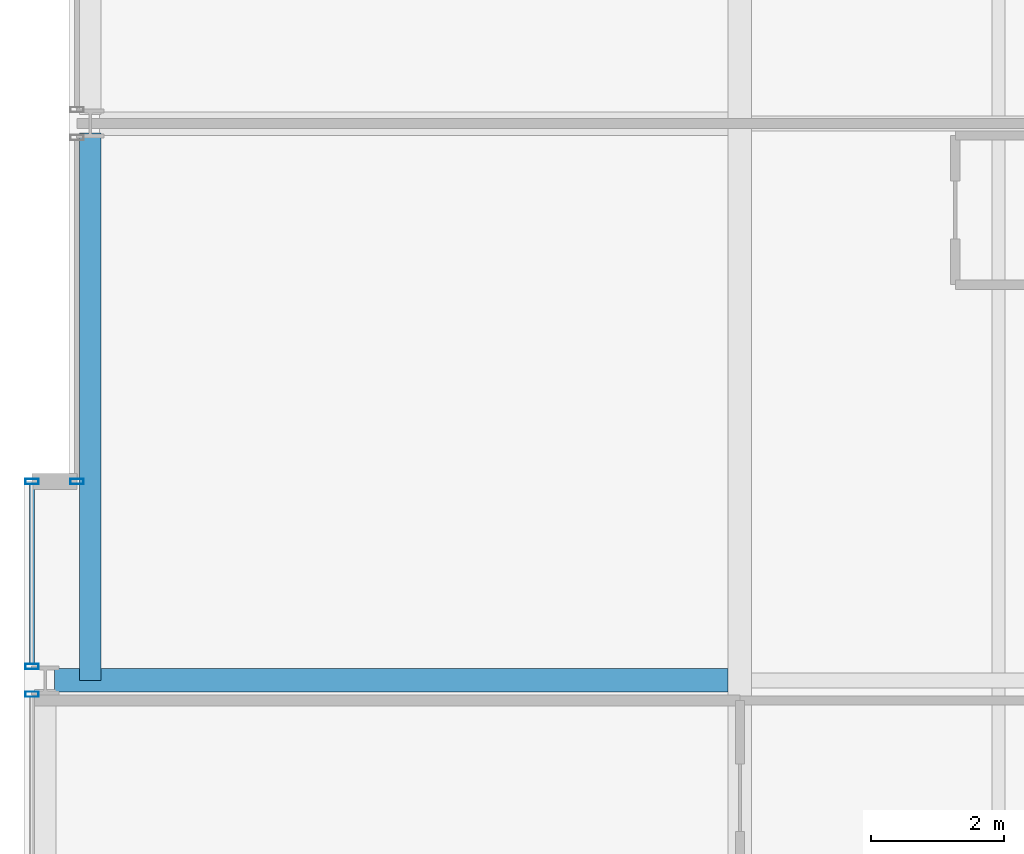
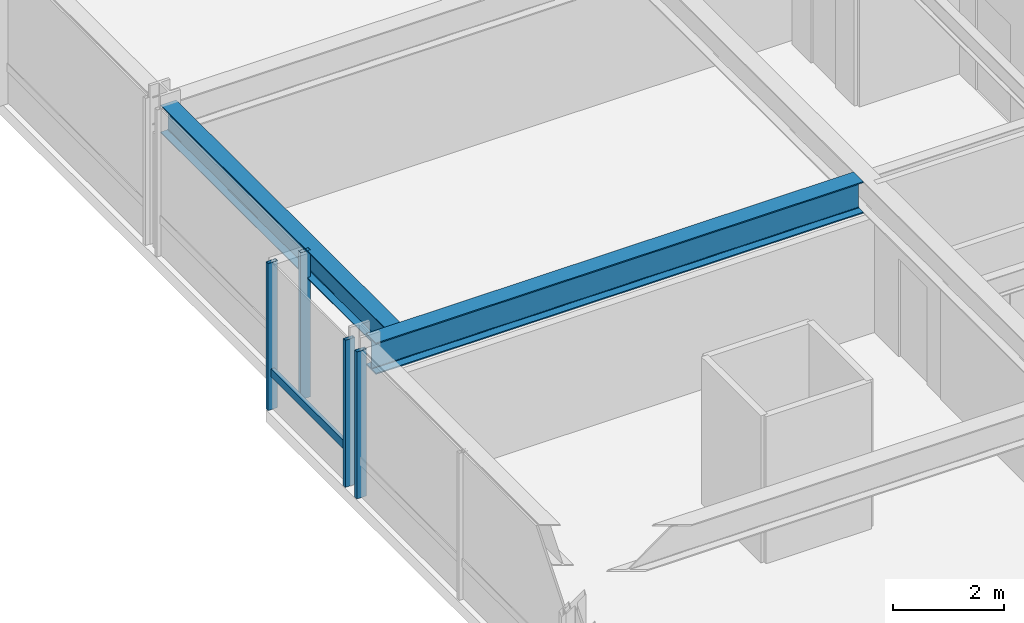
# One storey, part 7 of 34: 5 members, 2 beams, 3 elements without a shape of their own.
"""IFC4 building model written with IfcOpenShell, lengths in metres."""

from ifc_helpers import new_model, si_unit, direction, frame, origin, origin_2d, place, context, subcontext, project, spatial, hollow_rectangle, i_section, extrude, material, layer, layer_set, material_profile, profile_set, type_object, element, aggregate, save


model = new_model("IFC4")

# Units and contexts
model_context = context("Model", 3, precision=1e-05, world=origin(), true_north=direction((0.0, 1.0)))
body_context = subcontext(model_context, "Body", "Model", "MODEL_VIEW")
ifc_project = project(units=[si_unit("LENGTHUNIT", "METRE"), si_unit("AREAUNIT", "SQUARE_METRE"), si_unit("VOLUMEUNIT", "CUBIC_METRE"), si_unit("PLANEANGLEUNIT", "RADIAN"), si_unit("MASSUNIT", "GRAM", prefix="KILO")], contexts=[model_context])

# Site, building, storey
site_placement = place(None, origin())
site = spatial("IfcSite", under=ifc_project, at=site_placement, CompositionType="ELEMENT")
building_placement = place(site_placement, origin())
building = spatial("IfcBuilding", under=site, at=building_placement, Name="Drelvath Grand Hotel", CompositionType="ELEMENT")
storey_placement = place(building_placement, frame((0.0, 0.0, 133.800048828125)))
storey = spatial("IfcBuildingStorey", under=building, at=storey_placement, Name="L34", CompositionType="ELEMENT", Elevation=133.800048828125)

# Curtain wall, member
ifc_material_1 = material(Name="Champagne Bronze Anodised Aluminium Frame", Category="aluminium")
ifc_layer = layer(ifc_material_1, 0.199951171875)
ifc_layer_set = layer_set([ifc_layer], Name="Champagne Bronze Anodised Aluminium Frame")
curtain_wall_type = type_object("IfcCurtainWallType", Name="Stick Curtain Wall CW-03 Champagne Bronze Mid-Rise", PredefinedType="NOTDEFINED", material=ifc_layer_set)
curtain_wall_1_placement = place(storey_placement, origin())
curtain_wall_1 = element("IfcCurtainWall", 1, at=curtain_wall_1_placement, inside=storey, type_object=curtain_wall_type, Name="L34 CW-03 Curtain Wall CW03-L34-WS3", PredefinedType="NOTDEFINED")
ifc_material_profile_1 = material_profile(ifc_material_1, hollow_rectangle(XDim=0.074951171875, YDim=0.179931640625, WallThickness=0.0048828125, at=origin_2d()), Name="HSS180X75X5")
ifc_profile_set_1 = profile_set([ifc_material_profile_1], Name="Champagne Bronze Anodised Aluminium Frame")
member_type_1 = type_object("IfcMemberType", Name="Curtain Wall Horizontal Transom CW-03 HSS180X75X5", PredefinedType="USERDEFINED", material=ifc_profile_set_1)
member_1_placement = place(storey_placement, frame((-26.8798828125, 18.849365234375, 0.81005859375), z_axis=(0.0, 1.0, 0.0), x_axis=(-1.0, 0.0, 0.0)))
member_1 = element("IfcMember", 2, at=member_1_placement, type_object=member_type_1, Name="CW03-L34-WS3 Sill Transom", ObjectType="TRANSOM", PredefinedType="USERDEFINED", context=body_context, shape_type="SweptSolid", body=[
    extrude(hollow_rectangle(XDim=0.074951171875, YDim=0.179931640625, WallThickness=0.0048828125, at=origin_2d()), origin(), (0.0, 0.0, 1.0), 2.710693359375),
])

curtain_wall_2_placement = place(storey_placement, origin())
curtain_wall_2 = element("IfcCurtainWall", 3, at=curtain_wall_2_placement, inside=storey, type_object=curtain_wall_type, Name="L34 CW-03 Curtain Wall CW03-L34-WS2", PredefinedType="NOTDEFINED")
ifc_material_profile_2 = material_profile(ifc_material_1, hollow_rectangle(XDim=0.080078125, YDim=0.199951171875, WallThickness=0.0048828125, at=origin_2d()), Name="HSS200X80X5")
ifc_profile_set_2 = profile_set([ifc_material_profile_2], Name="Champagne Bronze Anodised Aluminium Frame")
member_type_2 = type_object("IfcMemberType", Name="Curtain Wall Vertical Mullion CW-03 HSS200X80X5", PredefinedType="MULLION", material=ifc_profile_set_2)
member_2_placement = place(storey_placement, frame((-26.8798828125, 18.390625, 0.0), z_axis=(0.0, 0.0, 1.0), x_axis=(0.0, 1.0, 0.0)))
member_2 = element("IfcMember", 4, at=member_2_placement, type_object=member_type_2, Name="CW03-L34-WS2 Mullion 3", PredefinedType="MULLION", context=body_context, shape_type="SweptSolid", body=[
    extrude(hollow_rectangle(XDim=0.080078125, YDim=0.199951171875, WallThickness=0.0048828125, at=origin_2d()), origin(), (0.0, 0.0, 1.0), 3.239990234375),
])
aggregate(curtain_wall_2, [member_2])

# Member
member_3_placement = place(storey_placement, frame((-26.8798828125, 18.809326171875, 0.0), z_axis=(0.0, 0.0, 1.0), x_axis=(0.0, 1.0, 0.0)))
member_3 = element("IfcMember", 5, at=member_3_placement, type_object=member_type_2, Name="CW03-L34-WS3 Mullion 1", PredefinedType="MULLION", context=body_context, shape_type="SweptSolid", body=[
    extrude(hollow_rectangle(XDim=0.080078125, YDim=0.199951171875, WallThickness=0.0048828125, at=origin_2d()), origin(), (0.0, 0.0, 1.0), 3.239990234375),
])

member_4_placement = place(storey_placement, frame((-26.8798828125, 21.60009765625, 0.0), z_axis=(0.0, 0.0, 1.0), x_axis=(0.0, 1.0, 0.0)))
member_4 = element("IfcMember", 6, at=member_4_placement, type_object=member_type_2, Name="CW03-L34-WS3 Mullion 2", PredefinedType="MULLION", context=body_context, shape_type="SweptSolid", body=[
    extrude(hollow_rectangle(XDim=0.080078125, YDim=0.199951171875, WallThickness=0.0048828125, at=origin_2d()), origin(), (0.0, 0.0, 1.0), 3.239990234375),
])

aggregate(curtain_wall_1, [member_3, member_4, member_1])

# Curtain wall, member
curtain_wall_3_placement = place(storey_placement, origin())
curtain_wall_3 = element("IfcCurtainWall", 7, at=curtain_wall_3_placement, inside=storey, type_object=curtain_wall_type, Name="L34 CW-03 Curtain Wall CW03-L34-WM1", PredefinedType="NOTDEFINED")
member_5_placement = place(storey_placement, frame((-26.199951171875, 21.60009765625, 0.0), z_axis=(0.0, 0.0, 1.0), x_axis=(0.0, 1.0, 0.0)))
member_5 = element("IfcMember", 8, at=member_5_placement, type_object=member_type_2, Name="CW03-L34-WM1 Mullion 1", PredefinedType="MULLION", context=body_context, shape_type="SweptSolid", body=[
    extrude(hollow_rectangle(XDim=0.080078125, YDim=0.199951171875, WallThickness=0.0048828125, at=origin_2d()), origin(), (0.0, 0.0, 1.0), 3.239990234375),
])
aggregate(curtain_wall_3, [member_5])

# Beams
ifc_material_2 = material(Name="Steel ASTM A992 Gr 50", Category="steel")
ifc_material_profile_3 = material_profile(ifc_material_2, i_section(OverallWidth=0.323974609375, OverallDepth=0.611083984375, WebThickness=0.0126953125, FlangeThickness=0.01904296875, FilletRadius=0.02197265625, at=origin_2d()), Name="W24X104")
ifc_profile_set_3 = profile_set([ifc_material_profile_3], Name="Steel ASTM A992 Gr 50")
beam_type_1 = type_object("IfcBeamType", Name="Perimeter Spandrel Beam W24X104", PredefinedType="SPANDREL", material=ifc_profile_set_3)
beam_1_placement = place(storey_placement, frame((-26.0, 18.60009765625, 2.934326171875), z_axis=(0.0, 1.0, 0.0), x_axis=(-1.0, 0.0, 0.0)))
element("IfcBeam", 9, at=beam_1_placement, inside=storey, type_object=beam_type_1, Name="L34 Spandrel West Mid S", PredefinedType="SPANDREL", context=body_context, shape_type="SweptSolid", body=[
    extrude(i_section(OverallWidth=0.323974609375, OverallDepth=0.611083984375, WebThickness=0.0126953125, FlangeThickness=0.01904296875, FilletRadius=0.02197265625, at=origin_2d()), origin(), (0.0, 0.0, 1.0), 8.260009765625),
])
ifc_material_profile_4 = material_profile(ifc_material_2, i_section(OverallWidth=0.354736328125, OverallDepth=0.695556640625, WebThickness=0.015380859375, FlangeThickness=0.025146484375, FilletRadius=0.02392578125, at=origin_2d()), Name="W27X146")
ifc_profile_set_4 = profile_set([ifc_material_profile_4], Name="Steel ASTM A992 Gr 50")
beam_type_2 = type_object("IfcBeamType", Name="Primary Floor Girder W27X146", PredefinedType="BEAM", material=ifc_profile_set_4)
beam_2_placement = place(storey_placement, frame((-26.5400390625, 18.60009765625, 2.892333984375), z_axis=(1.0, 0.0, 0.0), x_axis=(0.0, 1.0, 0.0)))
element("IfcBeam", 10, at=beam_2_placement, inside=storey, type_object=beam_type_2, Name="L34 West Wing Girder D", PredefinedType="BEAM", context=body_context, shape_type="SweptSolid", body=[
    extrude(i_section(OverallWidth=0.354736328125, OverallDepth=0.695556640625, WebThickness=0.015380859375, FlangeThickness=0.025146484375, FilletRadius=0.02392578125, at=origin_2d()), origin(), (0.0, 0.0, 1.0), 10.16259765625),
])

save(model, "model.ifc")
